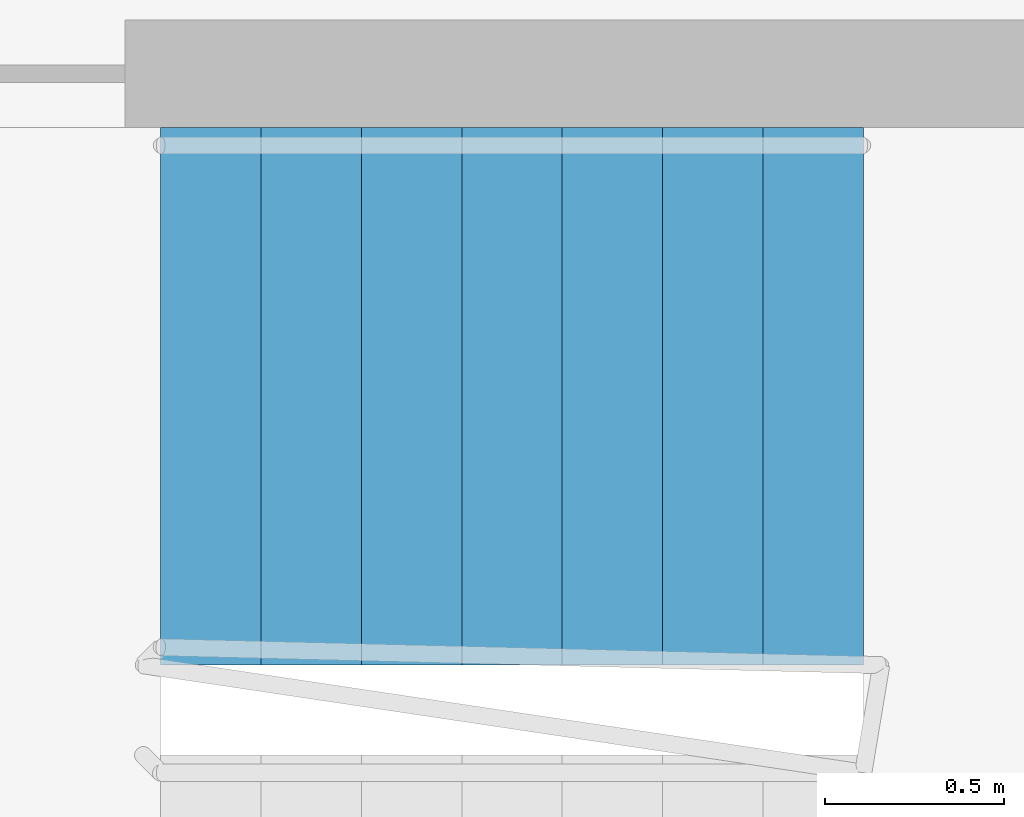
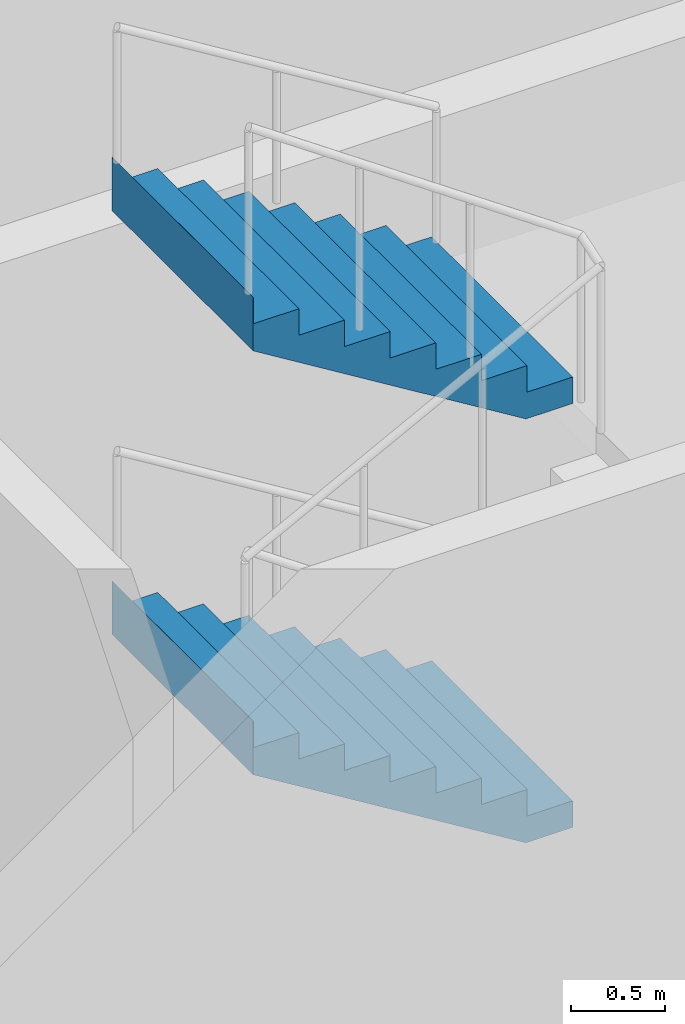
# One storey, part 19 of 21: 2 stair flights, 1 element without a shape of its own.
"""IFC4 building model written with IfcOpenShell, lengths in metres."""

import ifcopenshell
import ifcopenshell.guid

model = None  # the IFC model being written
_history = None  # IfcOwnerHistory: only IFC2X3 demands one
_inside = {}  # id of a spatial element -> (the spatial element, [elements in it])
_under = {}  # id of a project, library or spatial element -> (it, [spatial elements below it])
_declared = {}  # id of a project -> (the project, [libraries it declares])
_typed = {}  # id of a type object -> (the type object, [elements of that type])
_made_of = {}  # id of a material, layer set ... -> (it, [elements and type objects made of it])


def new_model(schema):
    """Start an empty IFC model of exactly this schema.

    Asked for "IFC4X3", IfcOpenShell would pick the latest addendum, in which some entities
    have other attributes; the version numbers below select the first issue.
    IFC2X3 requires an IfcOwnerHistory on every rooted entity: one is made here for all.
    """
    global model, _history
    if schema == "IFC4X3":
        model = ifcopenshell.file(schema_version=(4, 3, 0, 0))
    else:
        model = ifcopenshell.file(schema=schema)
    _inside.clear()
    _under.clear()
    _declared.clear()
    _typed.clear()
    _made_of.clear()
    _history = None
    if model.schema == "IFC2X3":
        org = make("IfcOrganization", Name="unknown")
        user = make(
            "IfcPersonAndOrganization",
            ThePerson=make("IfcPerson", FamilyName="unknown"),
            TheOrganization=org,
        )
        app = make(
            "IfcApplication",
            ApplicationDeveloper=org,
            Version="unknown",
            ApplicationFullName="unknown",
            ApplicationIdentifier="unknown",
        )
        _history = make(
            "IfcOwnerHistory",
            OwningUser=user,
            OwningApplication=app,
            ChangeAction="ADDED",
            CreationDate=0,
        )
    return model


def make(cls, **values):
    """One entity of the class cls with the attributes given. An attribute that is None is left unset."""
    return model.create_entity(
        cls, **{name: value for name, value in values.items() if value is not None}
    )


def rooted(cls, **values):
    """An entity with a GlobalId (a new one), such as an element, a storey or a relation."""
    return make(cls, GlobalId=ifcopenshell.guid.new(), OwnerHistory=_history, **values)


def si_unit(unit_type, name, prefix=None):
    """IfcSIUnit, for example si_unit("LENGTHUNIT", "METRE", prefix="MILLI")."""
    return make("IfcSIUnit", UnitType=unit_type, Prefix=prefix, Name=name)


def assignment(units):
    """IfcUnitAssignment: the units of a project."""
    return None if units is None else make("IfcUnitAssignment", Units=units)


def point(xyz):
    """IfcCartesianPoint."""
    return None if xyz is None else make("IfcCartesianPoint", Coordinates=xyz)


def direction(xyz):
    """IfcDirection."""
    return None if xyz is None else make("IfcDirection", DirectionRatios=xyz)


def frame(location, z_axis=None, x_axis=None):
    """IfcAxis2Placement3D, a coordinate frame: its origin and axes. An axis left out is left unset."""
    return make(
        "IfcAxis2Placement3D",
        Location=point(location),
        Axis=direction(z_axis),
        RefDirection=direction(x_axis),
    )


def origin():
    """The frame at (0, 0, 0) with its axes left unset."""
    return frame((0.0, 0.0, 0.0))


def place(relative_to, where):
    """IfcLocalPlacement: puts the frame where relative to a parent placement (None: the world)."""
    return make(
        "IfcLocalPlacement", PlacementRelTo=relative_to, RelativePlacement=where
    )


def context(
    kind, dimensions, precision=None, world=None, true_north=None, identifier=None
):
    """IfcGeometricRepresentationContext, for example the 3D "Model" context."""
    return make(
        "IfcGeometricRepresentationContext",
        ContextIdentifier=identifier,
        ContextType=kind,
        CoordinateSpaceDimension=dimensions,
        Precision=precision,
        WorldCoordinateSystem=world,
        TrueNorth=true_north,
    )


def subcontext(parent, identifier, kind, view, scale=None):
    """IfcGeometricRepresentationSubContext, for example "Body" below "Model"."""
    return make(
        "IfcGeometricRepresentationSubContext",
        ContextIdentifier=identifier,
        ContextType=kind,
        ParentContext=parent,
        TargetScale=scale,
        TargetView=view,
    )


def project(units=None, contexts=None):
    """IfcProject with its units and contexts."""
    return rooted(
        "IfcProject",
        Name="project",
        RepresentationContexts=contexts,
        UnitsInContext=assignment(units),
    )


def spatial(cls, under=None, at=None, **own):
    """A site, building, storey or space (cls), placed at a placement, below another one or the project."""
    s = rooted(cls, ObjectPlacement=at, **own)
    if under is not None:
        _under.setdefault(under.id(), (under, []))[1].append(s)
    return s


def faces_of(points, faces, orient=None, outer=None):
    """IfcFace entities. A face is a list of loops; a loop is a list of indices into points, from 0.

    orient and outer hold one flag for each loop. By default every Orientation is true, the
    first loop of a face is its IfcFaceOuterBound and the others are IfcFaceBound.
    """
    made = []
    for i, loops in enumerate(faces):
        bounds = []
        for j, loop in enumerate(loops):
            is_outer = j == 0 if outer is None else outer[i][j]
            bounds.append(
                make(
                    "IfcFaceOuterBound" if is_outer else "IfcFaceBound",
                    Bound=make("IfcPolyLoop", Polygon=[points[k] for k in loop]),
                    Orientation=True if orient is None else orient[i][j],
                )
            )
        made.append(make("IfcFace", Bounds=bounds))
    return made


def faceted_brep(points, faces, orient=None, outer=None, voids=None):
    """IfcFacetedBrep: a solid bounded by flat faces; with voids (closed shells), ...WithVoids."""
    shared = [point(p) for p in points]
    hull = make("IfcClosedShell", CfsFaces=faces_of(shared, faces, orient, outer))
    if voids is None:
        return make("IfcFacetedBrep", Outer=hull)
    return make(
        "IfcFacetedBrepWithVoids",
        Outer=hull,
        Voids=[
            make(cls, CfsFaces=faces_of(shared, fs, o, b)) for cls, fs, o, b in voids
        ],
    )


def shape(context_of_items, identifier, shape_type, items):
    """IfcShapeRepresentation: the items that make up one representation, for example the "Body"."""
    return make(
        "IfcShapeRepresentation",
        ContextOfItems=context_of_items,
        RepresentationIdentifier=identifier,
        RepresentationType=shape_type,
        Items=items,
    )


def material(Name=None, Category=None):
    """IfcMaterial."""
    return make("IfcMaterial", Name=Name, Category=Category)


def made_of(thing, what):
    """Note that an element or type object is made of a material, layer set ...; save() writes the relation."""
    if what is not None:
        _made_of.setdefault(what.id(), (what, []))[1].append(thing)
    return thing


def type_object(cls, material=None, **own):
    """A type object (cls), such as IfcWallType, which elements share."""
    return made_of(rooted(cls, **own), material)


def element(
    cls,
    number,
    at=None,
    inside=None,
    cuts=None,
    type_object=None,
    material=None,
    context=None,
    identifier="Body",
    shape_type=None,
    held_by="IfcProductDefinitionShape",
    body=None,
    shapes=None,
    **own,
):
    """One element of the class cls, such as IfcWall. Its Tag is "e" and its number.

    at: its placement. inside: the storey or other place that contains it. cuts: it is an
    opening in that element (IfcRelVoidsElement). A single representation is given by context,
    identifier, shape_type and body (its items); several are given by shapes. held_by: the class
    of the entity that holds the representations. save() writes the other relations.
    """
    e = rooted(cls, Tag="e%d" % number, ObjectPlacement=at, **own)
    if body is not None:
        shapes = [shape(context, identifier, shape_type, body)]
    if shapes is not None:
        e.Representation = make(held_by, Representations=shapes)
    if inside is not None:
        _inside.setdefault(inside.id(), (inside, []))[1].append(e)
    if cuts is not None:
        rooted(
            "IfcRelVoidsElement", RelatingBuildingElement=cuts, RelatedOpeningElement=e
        )
    if type_object is not None:
        _typed.setdefault(type_object.id(), (type_object, []))[1].append(e)
    return made_of(e, material)


def aggregate(whole, parts):
    """IfcRelAggregates: a whole, such as a stair, and the parts it consists of."""
    return rooted("IfcRelAggregates", RelatingObject=whole, RelatedObjects=parts)


def save(model, path):
    """Write the relations noted so far, then the file.

    IfcRelAggregates (storeys below a building ...), IfcRelContainedInSpatialStructure (elements
    in a storey), IfcRelDefinesByType, IfcRelAssociatesMaterial and IfcRelDeclares: one each for
    every whole, place, type object, material and project.
    """
    for whole, parts in _under.values():
        aggregate(whole, parts)
    for where, things in _inside.values():
        rooted(
            "IfcRelContainedInSpatialStructure",
            RelatedElements=things,
            RelatingStructure=where,
        )
    for kind, things in _typed.values():
        rooted("IfcRelDefinesByType", RelatedObjects=things, RelatingType=kind)
    for what, things in _made_of.values():
        rooted("IfcRelAssociatesMaterial", RelatedObjects=things, RelatingMaterial=what)
    for by, libraries in _declared.values():
        rooted("IfcRelDeclares", RelatingContext=by, RelatedDefinitions=libraries)
    model.write(path)


model = new_model("IFC4")

# Units and contexts
model_context = context("Model", 3, precision=1e-05, world=origin(), true_north=direction((0.0, 1.0)))
body_context = subcontext(model_context, "Body", "Model", "MODEL_VIEW")
ifc_project = project(units=[si_unit("LENGTHUNIT", "METRE"), si_unit("AREAUNIT", "SQUARE_METRE"), si_unit("VOLUMEUNIT", "CUBIC_METRE"), si_unit("PLANEANGLEUNIT", "RADIAN"), si_unit("MASSUNIT", "GRAM", prefix="KILO")], contexts=[model_context])

# Site, building, storey
site_placement = place(None, origin())
site = spatial("IfcSite", under=ifc_project, at=site_placement, CompositionType="ELEMENT")
building_placement = place(site_placement, origin())
building = spatial("IfcBuilding", under=site, at=building_placement, Name="Kajstack Hotel Tower", CompositionType="ELEMENT")
storey_placement = place(building_placement, frame((0.0, 0.0, 23.5)))
storey = spatial("IfcBuildingStorey", under=building, at=storey_placement, Name="L03", CompositionType="ELEMENT", Elevation=23.5)

# Stair, stair flights
ifc_material = material(Name="Concrete C40/50", Category="concrete")
stair_type = type_object("IfcStairType", Name="Exit stair 1500", PredefinedType="HALF_TURN_STAIR", material=ifc_material)
stair_placement = place(storey_placement, origin())
stair = element("IfcStair", 1, at=stair_placement, inside=storey, type_object=stair_type, Name="L03 stair E3", PredefinedType="HALF_TURN_STAIR")
stair_flight_type = type_object("IfcStairFlightType", Name="Exit stair flight 1500", PredefinedType="STRAIGHT", material=ifc_material)
stair_flight_1_placement = place(storey_placement, frame((27.659912109375, 14.449951171875, 1.375), z_axis=(0.0, 0.0, 1.0), x_axis=(-1.0, 0.0, 0.0)))
stair_flight_1 = element("IfcStairFlight", 2, at=stair_flight_1_placement, type_object=stair_flight_type, Name="E3 flight 2", NumberOfRisers=8, NumberOfTreads=7, PredefinedType="STRAIGHT", RiserHeight=0.171875, TreadLength=0.28, context=body_context, shape_type="Brep", body=[
    faceted_brep([(0.287109375, -0.75, 0.0), (1.96044921875, -0.75, 1.02734375), (1.96044921875, -0.75, 1.375), (1.9599609375, -0.75, 1.375), (1.9599609375, -0.75, 1.203125), (1.679931640625, -0.75, 1.203125), (1.679931640625, -0.75, 1.03125), (1.39990234375, -0.75, 1.03125), (1.39990234375, -0.75, 0.859375), (1.1201171875, -0.75, 0.859375), (1.1201171875, -0.75, 0.6875), (0.840087890625, -0.75, 0.6875), (0.840087890625, -0.75, 0.515625), (0.56005859375, -0.75, 0.515625), (0.56005859375, -0.75, 0.34375), (0.280029296875, -0.75, 0.34375), (0.280029296875, -0.75, 0.171875), (-0.00048828125, -0.75, 0.171875), (-0.00048828125, -0.75, 0.0), (-0.00048828125, 0.75, 0.0), (-0.00048828125, 0.75, 0.171875), (0.280029296875, 0.75, 0.171875), (0.280029296875, 0.75, 0.34375), (0.56005859375, 0.75, 0.34375), (0.56005859375, 0.75, 0.515625), (0.840087890625, 0.75, 0.515625), (0.840087890625, 0.75, 0.6875), (1.1201171875, 0.75, 0.6875), (1.1201171875, 0.75, 0.859375), (1.39990234375, 0.75, 0.859375), (1.39990234375, 0.75, 1.03125), (1.679931640625, 0.75, 1.03125), (1.679931640625, 0.75, 1.203125), (1.9599609375, 0.75, 1.203125), (1.9599609375, 0.75, 1.375), (1.96044921875, 0.75, 1.375), (1.96044921875, 0.75, 1.02734375), (0.287109375, 0.75, 0.0), (-0.00048828125, -0.375, 0.171875), (-0.00048828125, 0.0, 0.171875), (-0.00048828125, 0.375, 0.171875), (-0.00048828125, 0.375, 0.0), (-0.00048828125, 0.0, 0.0), (-0.00048828125, -0.375, 0.0), (0.280029296875, -0.375, 0.171875), (0.280029296875, 0.0, 0.171875), (0.280029296875, 0.375, 0.171875), (0.280029296875, -0.375, 0.34375), (0.280029296875, 0.0, 0.34375), (0.280029296875, 0.375, 0.34375), (0.56005859375, -0.375, 0.34375), (0.56005859375, 0.0, 0.34375), (0.56005859375, 0.375, 0.34375), (0.56005859375, -0.375, 0.515625), (0.56005859375, 0.0, 0.515625), (0.56005859375, 0.375, 0.515625), (0.840087890625, -0.375, 0.515625), (0.840087890625, 0.0, 0.515625), (0.840087890625, 0.375, 0.515625), (0.840087890625, -0.375, 0.6875), (0.840087890625, 0.0, 0.6875), (0.840087890625, 0.375, 0.6875), (1.1201171875, -0.375, 0.6875), (1.1201171875, 0.0, 0.6875), (1.1201171875, 0.375, 0.6875), (1.1201171875, -0.375, 0.859375), (1.1201171875, 0.0, 0.859375), (1.1201171875, 0.375, 0.859375), (1.39990234375, -0.375, 0.859375), (1.39990234375, 0.0, 0.859375), (1.39990234375, 0.375, 0.859375), (1.39990234375, -0.375, 1.03125), (1.39990234375, 0.0, 1.03125), (1.39990234375, 0.375, 1.03125), (1.679931640625, -0.375, 1.03125), (1.679931640625, 0.0, 1.03125), (1.679931640625, 0.375, 1.03125), (1.679931640625, -0.375, 1.203125), (1.679931640625, 0.0, 1.203125), (1.679931640625, 0.375, 1.203125), (1.9599609375, -0.375, 1.203125), (1.9599609375, 0.0, 1.203125), (1.9599609375, 0.375, 1.203125), (1.9599609375, -0.375, 1.375), (1.9599609375, 0.0, 1.375), (1.9599609375, 0.375, 1.375), (1.96044921875, -0.375, 1.375), (1.96044921875, 0.0, 1.375), (1.96044921875, 0.375, 1.375), (1.96044921875, -0.375, 1.02734375), (1.96044921875, 0.0, 1.02734375), (1.96044921875, 0.375, 1.02734375), (0.287109375, -0.375, 0.0), (0.287109375, 0.0, 0.0), (0.287109375, 0.375, 0.0)], [[[0, 1, 2, 3, 4, 5, 6, 7, 8, 9, 10, 11, 12, 13, 14, 15, 16, 17, 18]], [[19, 20, 21, 22, 23, 24, 25, 26, 27, 28, 29, 30, 31, 32, 33, 34, 35, 36, 37]], [[17, 38, 39, 40, 20, 19, 41, 42, 43, 18]], [[16, 44, 45, 46, 21, 20, 40, 39, 38, 17]], [[15, 47, 48, 49, 22, 21, 46, 45, 44, 16]], [[14, 50, 51, 52, 23, 22, 49, 48, 47, 15]], [[13, 53, 54, 55, 24, 23, 52, 51, 50, 14]], [[12, 56, 57, 58, 25, 24, 55, 54, 53, 13]], [[11, 59, 60, 61, 26, 25, 58, 57, 56, 12]], [[10, 62, 63, 64, 27, 26, 61, 60, 59, 11]], [[9, 65, 66, 67, 28, 27, 64, 63, 62, 10]], [[8, 68, 69, 70, 29, 28, 67, 66, 65, 9]], [[7, 71, 72, 73, 30, 29, 70, 69, 68, 8]], [[6, 74, 75, 76, 31, 30, 73, 72, 71, 7]], [[5, 77, 78, 79, 32, 31, 76, 75, 74, 6]], [[4, 80, 81, 82, 33, 32, 79, 78, 77, 5]], [[3, 83, 84, 85, 34, 33, 82, 81, 80, 4]], [[2, 86, 87, 88, 35, 34, 85, 84, 83, 3]], [[1, 89, 90, 91, 36, 35, 88, 87, 86, 2]], [[0, 92, 93, 94, 37, 36, 91, 90, 89, 1]], [[18, 43, 42, 41, 19, 37, 94, 93, 92, 0]]]),
])
stair_flight_2_placement = place(storey_placement, frame((27.659912109375, 14.449951171875, 4.125), z_axis=(0.0, 0.0, 1.0), x_axis=(-1.0, 0.0, 0.0)))
stair_flight_2 = element("IfcStairFlight", 3, at=stair_flight_2_placement, type_object=stair_flight_type, Name="E3 flight 4", NumberOfRisers=8, NumberOfTreads=7, PredefinedType="STRAIGHT", RiserHeight=0.171875, TreadLength=0.28, context=body_context, shape_type="Brep", body=[
    faceted_brep([(0.287109375, -0.75, 0.0), (1.96044921875, -0.75, 1.02734375), (1.96044921875, -0.75, 1.375), (1.9599609375, -0.75, 1.375), (1.9599609375, -0.75, 1.203125), (1.679931640625, -0.75, 1.203125), (1.679931640625, -0.75, 1.03125), (1.39990234375, -0.75, 1.03125), (1.39990234375, -0.75, 0.859375), (1.1201171875, -0.75, 0.859375), (1.1201171875, -0.75, 0.6875), (0.840087890625, -0.75, 0.6875), (0.840087890625, -0.75, 0.515625), (0.56005859375, -0.75, 0.515625), (0.56005859375, -0.75, 0.34375), (0.280029296875, -0.75, 0.34375), (0.280029296875, -0.75, 0.171875), (-0.00048828125, -0.75, 0.171875), (-0.00048828125, -0.75, 0.0), (-0.00048828125, 0.75, 0.0), (-0.00048828125, 0.75, 0.171875), (0.280029296875, 0.75, 0.171875), (0.280029296875, 0.75, 0.34375), (0.56005859375, 0.75, 0.34375), (0.56005859375, 0.75, 0.515625), (0.840087890625, 0.75, 0.515625), (0.840087890625, 0.75, 0.6875), (1.1201171875, 0.75, 0.6875), (1.1201171875, 0.75, 0.859375), (1.39990234375, 0.75, 0.859375), (1.39990234375, 0.75, 1.03125), (1.679931640625, 0.75, 1.03125), (1.679931640625, 0.75, 1.203125), (1.9599609375, 0.75, 1.203125), (1.9599609375, 0.75, 1.375), (1.96044921875, 0.75, 1.375), (1.96044921875, 0.75, 1.02734375), (0.287109375, 0.75, 0.0), (-0.00048828125, -0.375, 0.171875), (-0.00048828125, 0.0, 0.171875), (-0.00048828125, 0.375, 0.171875), (-0.00048828125, 0.375, 0.0), (-0.00048828125, 0.0, 0.0), (-0.00048828125, -0.375, 0.0), (0.280029296875, -0.375, 0.171875), (0.280029296875, 0.0, 0.171875), (0.280029296875, 0.375, 0.171875), (0.280029296875, -0.375, 0.34375), (0.280029296875, 0.0, 0.34375), (0.280029296875, 0.375, 0.34375), (0.56005859375, -0.375, 0.34375), (0.56005859375, 0.0, 0.34375), (0.56005859375, 0.375, 0.34375), (0.56005859375, -0.375, 0.515625), (0.56005859375, 0.0, 0.515625), (0.56005859375, 0.375, 0.515625), (0.840087890625, -0.375, 0.515625), (0.840087890625, 0.0, 0.515625), (0.840087890625, 0.375, 0.515625), (0.840087890625, -0.375, 0.6875), (0.840087890625, 0.0, 0.6875), (0.840087890625, 0.375, 0.6875), (1.1201171875, -0.375, 0.6875), (1.1201171875, 0.0, 0.6875), (1.1201171875, 0.375, 0.6875), (1.1201171875, -0.375, 0.859375), (1.1201171875, 0.0, 0.859375), (1.1201171875, 0.375, 0.859375), (1.39990234375, -0.375, 0.859375), (1.39990234375, 0.0, 0.859375), (1.39990234375, 0.375, 0.859375), (1.39990234375, -0.375, 1.03125), (1.39990234375, 0.0, 1.03125), (1.39990234375, 0.375, 1.03125), (1.679931640625, -0.375, 1.03125), (1.679931640625, 0.0, 1.03125), (1.679931640625, 0.375, 1.03125), (1.679931640625, -0.375, 1.203125), (1.679931640625, 0.0, 1.203125), (1.679931640625, 0.375, 1.203125), (1.9599609375, -0.375, 1.203125), (1.9599609375, 0.0, 1.203125), (1.9599609375, 0.375, 1.203125), (1.9599609375, -0.375, 1.375), (1.9599609375, 0.0, 1.375), (1.9599609375, 0.375, 1.375), (1.96044921875, -0.375, 1.375), (1.96044921875, 0.0, 1.375), (1.96044921875, 0.375, 1.375), (1.96044921875, -0.375, 1.02734375), (1.96044921875, 0.0, 1.02734375), (1.96044921875, 0.375, 1.02734375), (0.287109375, -0.375, 0.0), (0.287109375, 0.0, 0.0), (0.287109375, 0.375, 0.0)], [[[0, 1, 2, 3, 4, 5, 6, 7, 8, 9, 10, 11, 12, 13, 14, 15, 16, 17, 18]], [[19, 20, 21, 22, 23, 24, 25, 26, 27, 28, 29, 30, 31, 32, 33, 34, 35, 36, 37]], [[17, 38, 39, 40, 20, 19, 41, 42, 43, 18]], [[16, 44, 45, 46, 21, 20, 40, 39, 38, 17]], [[15, 47, 48, 49, 22, 21, 46, 45, 44, 16]], [[14, 50, 51, 52, 23, 22, 49, 48, 47, 15]], [[13, 53, 54, 55, 24, 23, 52, 51, 50, 14]], [[12, 56, 57, 58, 25, 24, 55, 54, 53, 13]], [[11, 59, 60, 61, 26, 25, 58, 57, 56, 12]], [[10, 62, 63, 64, 27, 26, 61, 60, 59, 11]], [[9, 65, 66, 67, 28, 27, 64, 63, 62, 10]], [[8, 68, 69, 70, 29, 28, 67, 66, 65, 9]], [[7, 71, 72, 73, 30, 29, 70, 69, 68, 8]], [[6, 74, 75, 76, 31, 30, 73, 72, 71, 7]], [[5, 77, 78, 79, 32, 31, 76, 75, 74, 6]], [[4, 80, 81, 82, 33, 32, 79, 78, 77, 5]], [[3, 83, 84, 85, 34, 33, 82, 81, 80, 4]], [[2, 86, 87, 88, 35, 34, 85, 84, 83, 3]], [[1, 89, 90, 91, 36, 35, 88, 87, 86, 2]], [[0, 92, 93, 94, 37, 36, 91, 90, 89, 1]], [[18, 43, 42, 41, 19, 37, 94, 93, 92, 0]]]),
])
aggregate(stair, [stair_flight_1, stair_flight_2])

save(model, "model.ifc")
